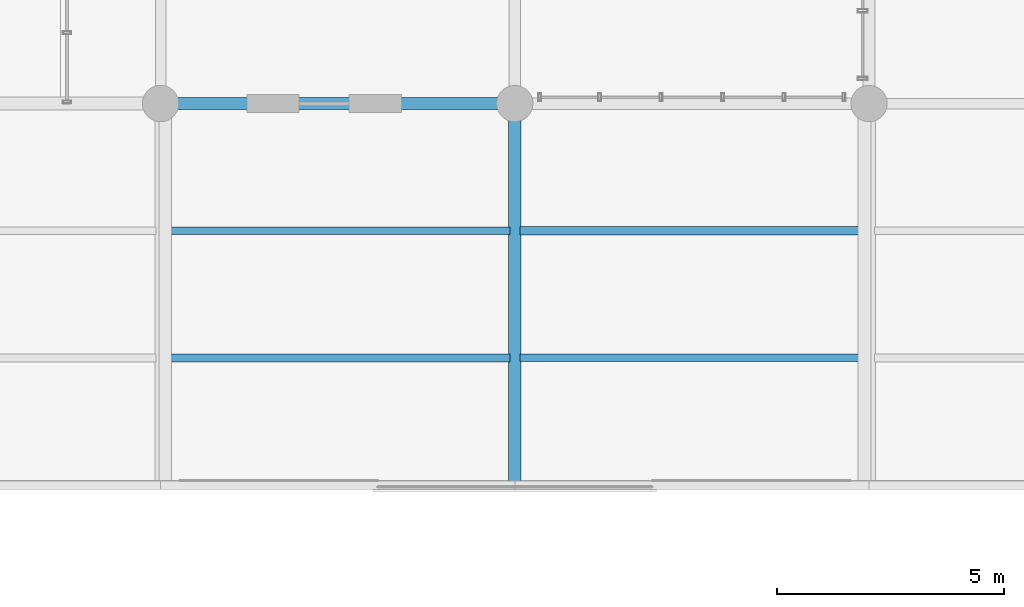
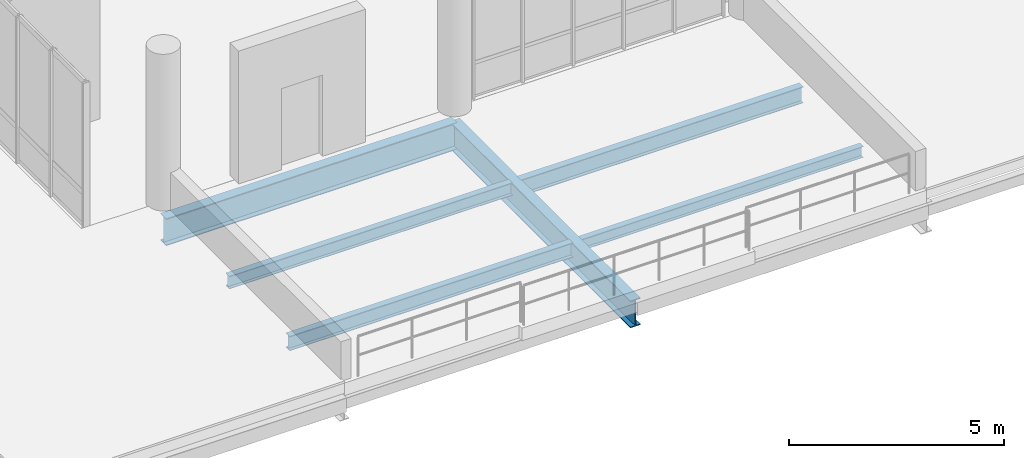
# One storey, part 38 of 68: 6 beams.
"""IFC4 building model written with IfcOpenShell, lengths in metres."""

from ifc_helpers import new_model, si_unit, direction, frame, origin_with_axes, origin_2d_with_axis, place, context, subcontext, project, spatial, i_section, extrude, material, material_profile, profile_set, type_object, element, save


model = new_model("IFC4")

# Units and contexts
model_context = context("Model", 3, precision=1e-05, world=origin_with_axes(), true_north=direction((0.0, 1.0)))
body_context = subcontext(model_context, "Body", "Model", "MODEL_VIEW")
ifc_project = project(units=[si_unit("LENGTHUNIT", "METRE"), si_unit("AREAUNIT", "SQUARE_METRE"), si_unit("VOLUMEUNIT", "CUBIC_METRE"), si_unit("PLANEANGLEUNIT", "RADIAN"), si_unit("MASSUNIT", "GRAM", prefix="KILO"), si_unit("THERMODYNAMICTEMPERATUREUNIT", "KELVIN")], contexts=[model_context])

# Site, building, storey
site_placement = place(None, origin_with_axes())
site = spatial("IfcSite", under=ifc_project, at=site_placement, CompositionType="ELEMENT")
building_placement = place(site_placement, origin_with_axes())
building = spatial("IfcBuilding", under=site, at=building_placement, Name="Montbau Bow Law Courts", CompositionType="ELEMENT")
storey_placement = place(building_placement, frame((0.0, 0.0, 20.4), z_axis=(0.0, 0.0, 1.0), x_axis=(1.0, 0.0, 0.0)))
storey = spatial("IfcBuildingStorey", under=building, at=storey_placement, Name="L04", CompositionType="ELEMENT", Elevation=20.4)

# Beams
ifc_material = material(Name="Steel CSA G40.21 Grade 350W (350 MPa)", Category="steel")
ifc_material_profile_1 = material_profile(ifc_material, i_section(OverallWidth=0.267, OverallDepth=0.766, WebThickness=0.0149, FlangeThickness=0.0236, at=origin_2d_with_axis()), Name="W760X185", Category="Main", Priority=0)
ifc_profile_set_1 = profile_set([ifc_material_profile_1], Name="Steel CSA G40.21 Grade 350W (350 MPa)")
beam_type_1 = type_object("IfcBeamType", Name="B-FLR-03", PredefinedType="BEAM", material=ifc_profile_set_1)
beam_1_placement = place(None, frame((147.0, 78.0, 19.657), z_axis=(1.0, 0.0, 0.0), x_axis=(0.0, 1.0, 0.0)))
element("IfcBeam", 1, at=beam_1_placement, inside=storey, type_object=beam_type_1, Name="BM-L04-S1250:bm2_1253", PredefinedType="BEAM", context=body_context, shape_type="SweptSolid", body=[
    extrude(i_section(OverallWidth=0.267, OverallDepth=0.766, WebThickness=0.0149, FlangeThickness=0.0236, at=origin_2d_with_axis()), origin_with_axes(), (0.0, 0.0, 1.0), 7.8),
])
beam_2_placement = place(None, frame((154.8, 69.6, 19.657), z_axis=(0.0, 1.0, 0.0), x_axis=(-1.0, 0.0, 0.0)))
element("IfcBeam", 2, at=beam_2_placement, inside=storey, type_object=beam_type_1, Name="BM-L04-S1273:bm2_1276", PredefinedType="BEAM", context=body_context, shape_type="SweptSolid", body=[
    extrude(i_section(OverallWidth=0.267, OverallDepth=0.766, WebThickness=0.0149, FlangeThickness=0.0236, at=origin_2d_with_axis()), origin_with_axes(), (0.0, 0.0, 1.0), 8.4),
])
ifc_material_profile_2 = material_profile(ifc_material, i_section(OverallWidth=0.191, OverallDepth=0.46, WebThickness=0.0099, FlangeThickness=0.016, at=origin_2d_with_axis()), Name="W460X82", Category="Main", Priority=0)
ifc_profile_set_2 = profile_set([ifc_material_profile_2], Name="Steel CSA G40.21 Grade 350W (350 MPa)")
beam_type_2 = type_object("IfcBeamType", Name="B-JST-01", PredefinedType="JOIST", material=ifc_profile_set_2)
beam_3_placement = place(None, frame((154.91, 75.2, 19.81), z_axis=(1.0, 0.0, 0.0), x_axis=(0.0, 1.0, 0.0)))
element("IfcBeam", 3, at=beam_3_placement, inside=storey, type_object=beam_type_2, Name="JST-L04-S0680:jst2_0680", PredefinedType="JOIST", context=body_context, shape_type="SweptSolid", body=[
    extrude(i_section(OverallWidth=0.191, OverallDepth=0.46, WebThickness=0.0099, FlangeThickness=0.016, at=origin_2d_with_axis()), origin_with_axes(), (0.0, 0.0, 1.0), 7.567),
])
ifc_material_profile_3 = material_profile(ifc_material, i_section(OverallWidth=0.179, OverallDepth=0.41, WebThickness=0.0088, FlangeThickness=0.0144, at=origin_2d_with_axis()), Name="W410X67", Category="Main", Priority=0)
ifc_profile_set_3 = profile_set([ifc_material_profile_3], Name="Steel CSA G40.21 Grade 350W (350 MPa)")
beam_type_3 = type_object("IfcBeamType", Name="B-JST-02", PredefinedType="JOIST", material=ifc_profile_set_3)
beam_4_placement = place(None, frame((147.103, 72.4, 19.835), z_axis=(1.0, 0.0, 0.0), x_axis=(0.0, 1.0, 0.0)))
element("IfcBeam", 4, at=beam_4_placement, inside=storey, type_object=beam_type_3, Name="JST-L04-S0673:jst2_0673", PredefinedType="JOIST", context=body_context, shape_type="SweptSolid", body=[
    extrude(i_section(OverallWidth=0.179, OverallDepth=0.41, WebThickness=0.0088, FlangeThickness=0.0144, at=origin_2d_with_axis()), origin_with_axes(), (0.0, 0.0, 1.0), 7.588),
])
ifc_material_profile_4 = material_profile(ifc_material, i_section(OverallWidth=0.172, OverallDepth=0.358, WebThickness=0.0079, FlangeThickness=0.0131, at=origin_2d_with_axis()), Name="W360X57", Category="Main", Priority=0)
ifc_profile_set_4 = profile_set([ifc_material_profile_4], Name="Steel CSA G40.21 Grade 350W (350 MPa)")
beam_type_4 = type_object("IfcBeamType", Name="B-JST-03", PredefinedType="JOIST", material=ifc_profile_set_4)
beam_5_placement = place(None, frame((147.103, 75.2, 19.861), z_axis=(1.0, 0.0, 0.0), x_axis=(0.0, 1.0, 0.0)))
element("IfcBeam", 5, at=beam_5_placement, inside=storey, type_object=beam_type_4, Name="JST-L04-S0674:jst2_0674", PredefinedType="JOIST", context=body_context, shape_type="SweptSolid", body=[
    extrude(i_section(OverallWidth=0.172, OverallDepth=0.358, WebThickness=0.0079, FlangeThickness=0.0131, at=origin_2d_with_axis()), origin_with_axes(), (0.0, 0.0, 1.0), 7.588),
])
ifc_material_profile_5 = material_profile(ifc_material, i_section(OverallWidth=0.166, OverallDepth=0.313, WebThickness=0.0066, FlangeThickness=0.0112, at=origin_2d_with_axis()), Name="W310X45", Category="Main", Priority=0)
ifc_profile_set_5 = profile_set([ifc_material_profile_5], Name="Steel CSA G40.21 Grade 350W (350 MPa)")
beam_type_5 = type_object("IfcBeamType", Name="B-JST-04", PredefinedType="JOIST", material=ifc_profile_set_5)
beam_6_placement = place(None, frame((154.91, 72.4, 19.883), z_axis=(1.0, 0.0, 0.0), x_axis=(0.0, 1.0, 0.0)))
element("IfcBeam", 6, at=beam_6_placement, inside=storey, type_object=beam_type_5, Name="JST-L04-S0679:jst2_0679", PredefinedType="JOIST", context=body_context, shape_type="SweptSolid", body=[
    extrude(i_section(OverallWidth=0.166, OverallDepth=0.313, WebThickness=0.0066, FlangeThickness=0.0112, at=origin_2d_with_axis()), origin_with_axes(), (0.0, 0.0, 1.0), 7.567),
])

save(model, "model.ifc")
